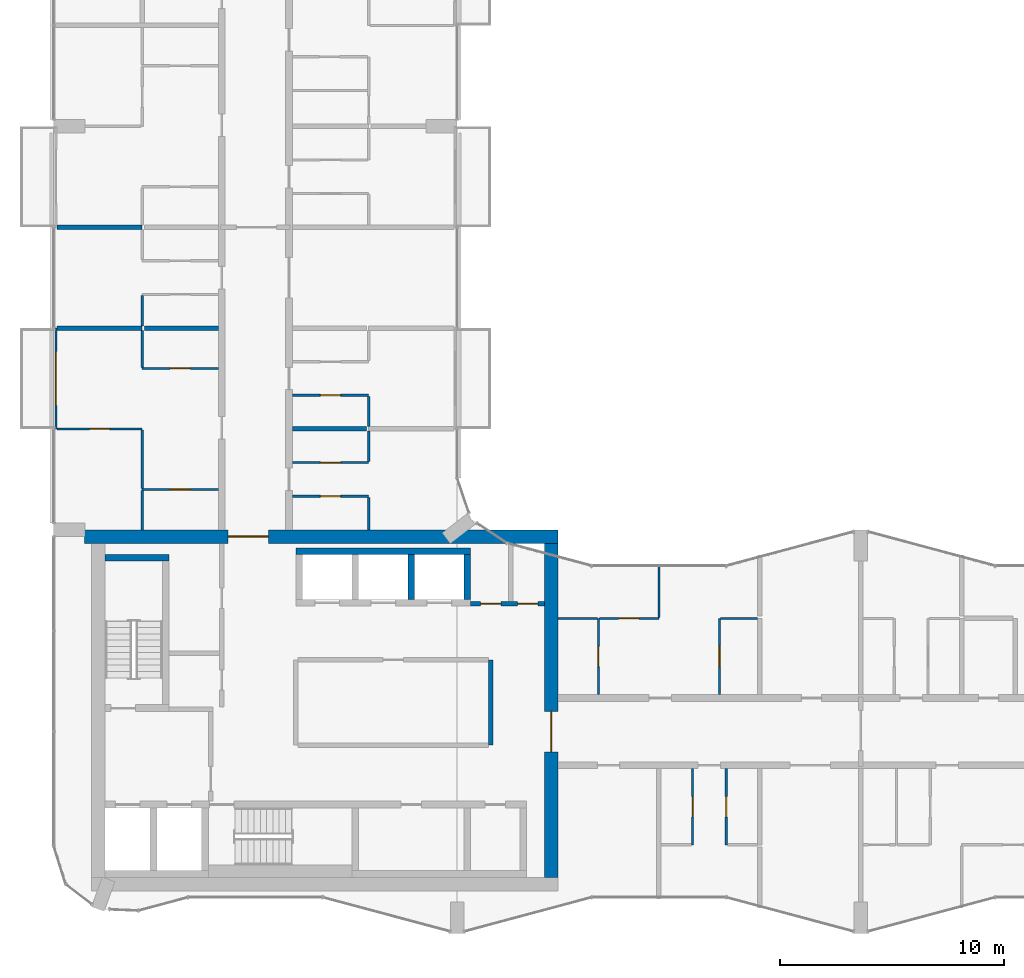
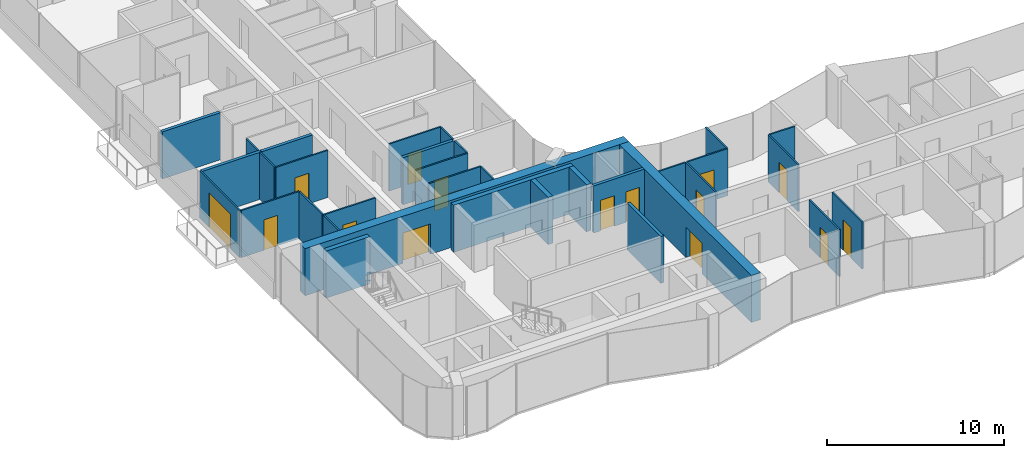
# One storey, part 10 of 17: 34 walls, 16 doors, 16 openings.
"""IFC4 building model written with IfcOpenShell, lengths in metres."""

from ifc_helpers import new_model, si_unit, direction, frame, frame_2d, origin, place, context, subcontext, project, spatial, rectangle, extrude, material, layer, layer_set, type_object, element, fill, save


model = new_model("IFC4")

# Units and contexts
model_context = context("Model", 3, precision=1e-05, world=origin(), true_north=direction((0.0, 1.0)))
body_context = subcontext(model_context, "Body", "Model", "MODEL_VIEW")
ifc_project = project(units=[si_unit("LENGTHUNIT", "METRE"), si_unit("AREAUNIT", "SQUARE_METRE"), si_unit("VOLUMEUNIT", "CUBIC_METRE"), si_unit("PLANEANGLEUNIT", "RADIAN"), si_unit("MASSUNIT", "GRAM", prefix="KILO")], contexts=[model_context])

# Site, building, storey
site_placement = place(None, origin())
site = spatial("IfcSite", under=ifc_project, at=site_placement, CompositionType="ELEMENT")
building_placement = place(site_placement, origin())
building = spatial("IfcBuilding", under=site, at=building_placement, Name="Plateau Cross Towers", CompositionType="ELEMENT")
storey_placement = place(building_placement, frame((0.0, 0.0, 142.89990234375)))
storey = spatial("IfcBuildingStorey", under=building, at=storey_placement, Name="L36", CompositionType="ELEMENT", Elevation=142.89990234375)

# Wall, opening, door
ifc_material_1 = material(Name="Aluminium framed glazing", Category="aluminium")
ifc_layer_1 = layer(ifc_material_1, 0.10009765625)
ifc_layer_set_1 = layer_set([ifc_layer_1], Name="Aluminium framed glazing")
wall_type_1 = type_object("IfcWallType", Name="Balcony screen wall 100", PredefinedType="STANDARD", material=ifc_layer_set_1)
wall_1_placement = place(storey_placement, frame((0.10009765625, 22.5, 0.0), z_axis=(0.0, 0.0, 1.0), x_axis=(0.0, 1.0, 0.0)))
wall_1 = element("IfcWall", 1, at=wall_1_placement, inside=storey, type_object=wall_type_1, Name="Balcony screen wall A-BAL-L36-01", PredefinedType="STANDARD", context=body_context, shape_type="SweptSolid", body=[
    extrude(rectangle(XDim=4.5, YDim=0.10009765625, at=frame_2d((2.25, 0.0))), origin(), (0.0, 0.0, 1.0), 3.25),
])
opening_1_placement = place(wall_1_placement, frame((1.050048828125, 0.0, 0.0)))
opening_1 = element("IfcOpeningElement", 2, at=opening_1_placement, cuts=wall_1, Name="Opening D-B24", PredefinedType="OPENING", context=body_context, shape_type="SweptSolid", body=[
    extrude(rectangle(XDim=2.39990234375, YDim=2.39990234375, at=frame_2d((1.199951171875, 1.199951171875))), frame((0.0, 0.06005859375, 0.0), z_axis=(0.0, -1.0, 0.0), x_axis=(1.0, 0.0, 0.0)), (0.0, 0.0, 1.0), 0.1201171875),
])
ifc_material_2 = material(Name="Aluminium frame, double glazing", Category="aluminium")
door_type_1 = type_object("IfcDoorType", Name="Balcony sliding door 2400", OperationType="NOTDEFINED", PredefinedType="DOOR", material=ifc_material_2)
door_1_placement = place(opening_1_placement, origin())
door_1 = element("IfcDoor", 3, at=door_1_placement, inside=storey, type_object=door_type_1, Name="Balcony door A-BAL-L36-01", OperationType="SINGLE_SWING_LEFT", OverallHeight=2.39990234375, OverallWidth=2.39990234375, PredefinedType="DOOR", context=body_context, shape_type="SweptSolid", body=[
    extrude(rectangle(XDim=2.39990234375, YDim=2.39990234375, at=frame_2d((1.199951171875, 1.199951171875))), frame((0.0, 0.02490234375, 0.0), z_axis=(0.0, -1.0, 0.0), x_axis=(1.0, 0.0, 0.0)), (0.0, 0.0, 1.0), 0.050048828125),
])
fill(opening_1, door_1)

# Wall
ifc_material_3 = material(Name="Concrete block, plastered both sides", Category="concrete")
ifc_layer_2 = layer(ifc_material_3, 0.199951171875)
ifc_layer_set_2 = layer_set([ifc_layer_2], Name="Concrete block, plastered both sides")
wall_type_2 = type_object("IfcWallType", Name="Core partition 200", PredefinedType="PARTITIONING", material=ifc_layer_set_2)
wall_2_placement = place(storey_placement, frame((19.5, 8.39990234375, 0.0), z_axis=(0.0, 0.0, 1.0), x_axis=(0.0, 1.0, 0.0)))
element("IfcWall", 4, at=wall_2_placement, inside=storey, type_object=wall_type_2, Name="Core partition", PredefinedType="PARTITIONING", context=body_context, shape_type="SweptSolid", body=[
    extrude(rectangle(XDim=3.800048828125, YDim=0.199951171875, at=frame_2d((1.89990234375, 0.0))), origin(), (0.0, 0.0, 1.0), 3.25),
])

# Wall, openings, doors
wall_3_placement = place(storey_placement, frame((18.60009765625, 14.699951171875, 0.0), z_axis=(0.0, 0.0, 1.0), x_axis=(1.0, 0.0, 0.0)))
wall_3 = element("IfcWall", 5, at=wall_3_placement, inside=storey, type_object=wall_type_2, Name="Core partition", PredefinedType="PARTITIONING", context=body_context, shape_type="SweptSolid", body=[
    extrude(rectangle(XDim=3.2998046875, YDim=0.199951171875, at=frame_2d((1.64990234375, 0.0))), origin(), (0.0, 0.0, 1.0), 3.25),
])
opening_2_placement = place(wall_3_placement, frame((0.449951171875, 0.0, 0.0)))
opening_2 = element("IfcOpeningElement", 6, at=opening_2_placement, cuts=wall_3, Name="Opening RD2", PredefinedType="OPENING", context=body_context, shape_type="SweptSolid", body=[
    extrude(rectangle(XDim=0.89990234375, YDim=2.10009765625, at=frame_2d((0.449951171875, 1.050048828125))), frame((0.0, 0.10986328125, 0.0), z_axis=(0.0, -1.0, 0.0), x_axis=(1.0, 0.0, 0.0)), (0.0, 0.0, 1.0), 0.219970703125),
])
opening_3_placement = place(wall_3_placement, frame((2.10009765625, 0.0, 0.0)))
opening_3 = element("IfcOpeningElement", 7, at=opening_3_placement, cuts=wall_3, Name="Opening RD2", PredefinedType="OPENING", context=body_context, shape_type="SweptSolid", body=[
    extrude(rectangle(XDim=0.89990234375, YDim=2.10009765625, at=frame_2d((0.449951171875, 1.050048828125))), frame((0.0, 0.10986328125, 0.0), z_axis=(0.0, -1.0, 0.0), x_axis=(1.0, 0.0, 0.0)), (0.0, 0.0, 1.0), 0.219970703125),
])
ifc_material_4 = material(Name="Steel, fire-resisting leaf", Category="steel")
door_type_2 = type_object("IfcDoorType", Name="Core riser door 900", OperationType="NOTDEFINED", PredefinedType="DOOR", material=ifc_material_4)
door_2_placement = place(opening_2_placement, origin())
door_2 = element("IfcDoor", 8, at=door_2_placement, inside=storey, type_object=door_type_2, Name="Core riser door RD2", OperationType="SINGLE_SWING_LEFT", OverallHeight=2.10009765625, OverallWidth=0.89990234375, PredefinedType="DOOR", context=body_context, shape_type="SweptSolid", body=[
    extrude(rectangle(XDim=0.89990234375, YDim=2.10009765625, at=frame_2d((0.449951171875, 1.050048828125))), frame((0.0, 0.02490234375, 0.0), z_axis=(0.0, -1.0, 0.0), x_axis=(1.0, 0.0, 0.0)), (0.0, 0.0, 1.0), 0.050048828125),
])
fill(opening_2, door_2)
door_3_placement = place(opening_3_placement, origin())
door_3 = element("IfcDoor", 9, at=door_3_placement, inside=storey, type_object=door_type_2, Name="Core riser door RD2", OperationType="SINGLE_SWING_LEFT", OverallHeight=2.10009765625, OverallWidth=0.89990234375, PredefinedType="DOOR", context=body_context, shape_type="SweptSolid", body=[
    extrude(rectangle(XDim=0.89990234375, YDim=2.10009765625, at=frame_2d((0.449951171875, 1.050048828125))), frame((0.0, 0.02490234375, 0.0), z_axis=(0.0, -1.0, 0.0), x_axis=(1.0, 0.0, 0.0)), (0.0, 0.0, 1.0), 0.050048828125),
])
fill(opening_3, door_3)

# Walls
ifc_material_5 = material(Name="Concrete C60/75", Category="concrete")
ifc_layer_3 = layer(ifc_material_5, 0.300048828125)
ifc_layer_set_3 = layer_set([ifc_layer_3], Name="Concrete C60/75")
wall_type_3 = type_object("IfcWallType", Name="Core shaft wall 300", PredefinedType="SHEAR", material=ifc_layer_set_3)
wall_4_placement = place(storey_placement, frame((2.300048828125, 16.75, 0.0), z_axis=(0.0, 0.0, 1.0), x_axis=(1.0, 0.0, 0.0)))
element("IfcWall", 10, at=wall_4_placement, inside=storey, type_object=wall_type_3, Name="A-st1-N@L36", PredefinedType="SHEAR", context=body_context, shape_type="SweptSolid", body=[
    extrude(rectangle(XDim=2.849853515625, YDim=0.300048828125, at=frame_2d((1.4248046875, 0.0))), origin(), (0.0, 0.0, 1.0), 3.25),
])
wall_5_placement = place(storey_placement, frame((10.800048828125, 17.050048828125, 0.0), z_axis=(0.0, 0.0, 1.0), x_axis=(1.0, 0.0, 0.0)))
element("IfcWall", 11, at=wall_5_placement, inside=storey, type_object=wall_type_3, Name="A-nb-back@L36", PredefinedType="SHEAR", context=body_context, shape_type="SweptSolid", body=[
    extrude(rectangle(XDim=7.800048828125, YDim=0.300048828125, at=frame_2d((3.89990234375, 0.0))), origin(), (0.0, 0.0, 1.0), 3.25),
])
for number, where, z_axis, x_axis, name in (
    (12, (15.949951171875, 14.89990234375, 0.0), (0.0, 0.0, 1.0), (0.0, 1.0, 0.0), "A-nb-v3@L36"),
    (13, (18.449951171875, 14.89990234375, 0.0), (0.0, 0.0, 1.0), (0.0, 1.0, 0.0), "A-nb-v4@L36"),
):
    element("IfcWall", number, at=place(storey_placement, frame(where, z_axis=z_axis, x_axis=x_axis)), inside=storey, type_object=wall_type_3, Name=name, PredefinedType="SHEAR", context=body_context, shape_type="SweptSolid", body=[
        extrude(rectangle(XDim=2.0, YDim=0.300048828125, at=frame_2d((1.0, 0.0))), origin(), (0.0, 0.0, 1.0), 3.25),
    ])

# Wall, opening, door
ifc_layer_4 = layer(ifc_material_5, 0.60009765625)
ifc_layer_set_4 = layer_set([ifc_layer_4], Name="Concrete C60/75")
wall_type_4 = type_object("IfcWallType", Name="Core shell wall 600", PredefinedType="SHEAR", material=ifc_layer_set_4)
wall_6_placement = place(storey_placement, frame((1.3798828125, 17.699951171875, 0.0), z_axis=(0.0, 0.0, 1.0), x_axis=(1.0, 0.0, 0.0)))
wall_6 = element("IfcWall", 14, at=wall_6_placement, inside=storey, type_object=wall_type_4, Name="A-core-N@L36", PredefinedType="SHEAR", context=body_context, shape_type="SweptSolid", body=[
    extrude(rectangle(XDim=21.1201171875, YDim=0.60009765625, at=frame_2d((10.56005859375, 0.0))), origin(), (0.0, 0.0, 1.0), 3.25),
])
opening_4_placement = place(wall_6_placement, frame((6.39990234375, 0.0, 0.0)))
opening_4 = element("IfcOpeningElement", 15, at=opening_4_placement, cuts=wall_6, Name="Opening CD", PredefinedType="OPENING", context=body_context, shape_type="SweptSolid", body=[
    extrude(rectangle(XDim=1.800048828125, YDim=2.10009765625, at=frame_2d((0.89990234375, 1.050048828125))), frame((0.0, 0.31005859375, 0.0), z_axis=(0.0, -1.0, 0.0), x_axis=(1.0, 0.0, 0.0)), (0.0, 0.0, 1.0), 0.6201171875),
])
ifc_material_6 = material(Name="Steel, fire-resisting leaves", Category="steel")
door_type_3 = type_object("IfcDoorType", Name="Corridor door pair 1800", OperationType="NOTDEFINED", PredefinedType="DOOR", material=ifc_material_6)
door_4_placement = place(opening_4_placement, origin())
door_4 = element("IfcDoor", 16, at=door_4_placement, inside=storey, type_object=door_type_3, Name="Corridor door pair CD", OperationType="DOUBLE_DOOR_SINGLE_SWING", OverallHeight=2.10009765625, OverallWidth=1.800048828125, PredefinedType="DOOR", context=body_context, shape_type="SweptSolid", body=[
    extrude(rectangle(XDim=1.800048828125, YDim=2.10009765625, at=frame_2d((0.89990234375, 1.050048828125))), frame((0.0, 0.02490234375, 0.0), z_axis=(0.0, -1.0, 0.0), x_axis=(1.0, 0.0, 0.0)), (0.0, 0.0, 1.0), 0.050048828125),
])
fill(opening_4, door_4)

wall_7_placement = place(storey_placement, frame((22.199951171875, 2.5, 0.0), z_axis=(0.0, 0.0, 1.0), x_axis=(0.0, 1.0, 0.0)))
wall_7 = element("IfcWall", 17, at=wall_7_placement, inside=storey, type_object=wall_type_4, Name="A-core-E@L36", PredefinedType="SHEAR", context=body_context, shape_type="SweptSolid", body=[
    extrude(rectangle(XDim=14.89990234375, YDim=0.60009765625, at=frame_2d((7.449951171875, 0.0))), origin(), (0.0, 0.0, 1.0), 3.25),
])
opening_5_placement = place(wall_7_placement, frame((5.60009765625, 0.0, 0.0)))
opening_5 = element("IfcOpeningElement", 18, at=opening_5_placement, cuts=wall_7, Name="Opening CD", PredefinedType="OPENING", context=body_context, shape_type="SweptSolid", body=[
    extrude(rectangle(XDim=1.800048828125, YDim=2.10009765625, at=frame_2d((0.89990234375, 1.050048828125))), frame((0.0, 0.31005859375, 0.0), z_axis=(0.0, -1.0, 0.0), x_axis=(1.0, 0.0, 0.0)), (0.0, 0.0, 1.0), 0.6201171875),
])
door_5_placement = place(opening_5_placement, origin())
door_5 = element("IfcDoor", 19, at=door_5_placement, inside=storey, type_object=door_type_3, Name="Corridor door pair CD", OperationType="DOUBLE_DOOR_SINGLE_SWING", OverallHeight=2.10009765625, OverallWidth=1.800048828125, PredefinedType="DOOR", context=body_context, shape_type="SweptSolid", body=[
    extrude(rectangle(XDim=1.800048828125, YDim=2.10009765625, at=frame_2d((0.89990234375, 1.050048828125))), frame((0.0, 0.02490234375, 0.0), z_axis=(0.0, -1.0, 0.0), x_axis=(1.0, 0.0, 0.0)), (0.0, 0.0, 1.0), 0.050048828125),
])
fill(opening_5, door_5)

# Walls
ifc_material_7 = material(Name="Gypsum board on steel studs", Category="steel")
ifc_layer_5 = layer(ifc_material_7, 0.10009765625)
ifc_layer_set_5 = layer_set([ifc_layer_5], Name="Gypsum board on steel studs")
wall_type_5 = type_object("IfcWallType", Name="Flat partition 100", PredefinedType="PARTITIONING", material=ifc_layer_set_5)
wall_8_placement = place(storey_placement, frame((24.25, 14.050048828125, 0.0), z_axis=(0.0, 0.0, 1.0), x_axis=(-1.0, 0.0, 0.0)))
element("IfcWall", 20, at=wall_8_placement, inside=storey, type_object=wall_type_5, Name="Partition wall", PredefinedType="PARTITIONING", context=body_context, shape_type="SweptSolid", body=[
    extrude(rectangle(XDim=1.75, YDim=0.10009765625, at=frame_2d((0.875, 0.0))), origin(), (0.0, 0.0, 1.0), 3.25),
])
wall_9_placement = place(storey_placement, frame((31.39990234375, 14.050048828125, 0.0), z_axis=(0.0, 0.0, 1.0), x_axis=(-1.0, 0.0, 0.0)))
element("IfcWall", 21, at=wall_9_placement, inside=storey, type_object=wall_type_5, Name="Partition wall", PredefinedType="PARTITIONING", context=body_context, shape_type="SweptSolid", body=[
    extrude(rectangle(XDim=1.64990234375, YDim=0.10009765625, at=frame_2d((0.824951171875, 0.0))), origin(), (0.0, 0.0, 1.0), 3.25),
])

# Wall, opening, door
wall_10_placement = place(storey_placement, frame((24.35009765625, 14.050048828125, 0.0), z_axis=(0.0, 0.0, 1.0), x_axis=(1.0, 0.0, 0.0)))
wall_10 = element("IfcWall", 22, at=wall_10_placement, inside=storey, type_object=wall_type_5, Name="Partition wall", PredefinedType="PARTITIONING", context=body_context, shape_type="SweptSolid", body=[
    extrude(rectangle(XDim=2.64990234375, YDim=0.10009765625, at=frame_2d((1.324951171875, 0.0))), origin(), (0.0, 0.0, 1.0), 3.25),
])
opening_6_placement = place(wall_10_placement, frame((0.85009765625, 0.0, 0.0)))
opening_6 = element("IfcOpeningElement", 23, at=opening_6_placement, cuts=wall_10, Name="Opening 36-33", PredefinedType="OPENING", context=body_context, shape_type="SweptSolid", body=[
    extrude(rectangle(XDim=0.89990234375, YDim=2.10009765625, at=frame_2d((0.449951171875, 1.050048828125))), frame((0.0, 0.06005859375, 0.0), z_axis=(0.0, -1.0, 0.0), x_axis=(1.0, 0.0, 0.0)), (0.0, 0.0, 1.0), 0.1201171875),
])
ifc_material_8 = material(Name="Timber leaf", Category="wood")
door_type_4 = type_object("IfcDoorType", Name="Flat room door 900", OperationType="NOTDEFINED", PredefinedType="DOOR", material=ifc_material_8)
door_6_placement = place(opening_6_placement, origin())
door_6 = element("IfcDoor", 24, at=door_6_placement, inside=storey, type_object=door_type_4, Name="Door 36-33", OperationType="SINGLE_SWING_LEFT", OverallHeight=2.10009765625, OverallWidth=0.89990234375, PredefinedType="DOOR", context=body_context, shape_type="SweptSolid", body=[
    extrude(rectangle(XDim=0.89990234375, YDim=2.10009765625, at=frame_2d((0.449951171875, 1.050048828125))), frame((0.0, 0.02490234375, 0.0), z_axis=(0.0, -1.0, 0.0), x_axis=(1.0, 0.0, 0.0)), (0.0, 0.0, 1.0), 0.050048828125),
])
fill(opening_6, door_6)

wall_11_placement = place(storey_placement, frame((14.050048828125, 19.5, 0.0), z_axis=(0.0, 0.0, 1.0), x_axis=(-1.0, 0.0, 0.0)))
wall_11 = element("IfcWall", 25, at=wall_11_placement, inside=storey, type_object=wall_type_5, Name="Partition wall", PredefinedType="PARTITIONING", context=body_context, shape_type="SweptSolid", body=[
    extrude(rectangle(XDim=3.400146484375, YDim=0.10009765625, at=frame_2d((1.7001953125, 0.0))), origin(), (0.0, 0.0, 1.0), 3.25),
])
opening_7_placement = place(wall_11_placement, frame((1.25, 0.0, 0.0)))
opening_7 = element("IfcOpeningElement", 26, at=opening_7_placement, cuts=wall_11, Name="Opening 36-44", PredefinedType="OPENING", context=body_context, shape_type="SweptSolid", body=[
    extrude(rectangle(XDim=0.89990234375, YDim=2.10009765625, at=frame_2d((0.449951171875, 1.050048828125))), frame((0.0, 0.06005859375, 0.0), z_axis=(0.0, -1.0, 0.0), x_axis=(1.0, 0.0, 0.0)), (0.0, 0.0, 1.0), 0.1201171875),
])
door_7_placement = place(opening_7_placement, origin())
door_7 = element("IfcDoor", 27, at=door_7_placement, inside=storey, type_object=door_type_4, Name="Door 36-44", OperationType="SINGLE_SWING_LEFT", OverallHeight=2.10009765625, OverallWidth=0.89990234375, PredefinedType="DOOR", context=body_context, shape_type="SweptSolid", body=[
    extrude(rectangle(XDim=0.89990234375, YDim=2.10009765625, at=frame_2d((0.449951171875, 1.050048828125))), frame((0.0, 0.02490234375, 0.0), z_axis=(0.0, -1.0, 0.0), x_axis=(1.0, 0.0, 0.0)), (0.0, 0.0, 1.0), 0.050048828125),
])
fill(opening_7, door_7)

wall_12_placement = place(storey_placement, frame((7.35009765625, 19.800048828125, 0.0), z_axis=(0.0, 0.0, 1.0), x_axis=(-1.0, 0.0, 0.0)))
wall_12 = element("IfcWall", 28, at=wall_12_placement, inside=storey, type_object=wall_type_5, Name="Partition wall", PredefinedType="PARTITIONING", context=body_context, shape_type="SweptSolid", body=[
    extrude(rectangle(XDim=3.400146484375, YDim=0.10009765625, at=frame_2d((1.7001953125, 0.0))), origin(), (0.0, 0.0, 1.0), 3.25),
])
opening_8_placement = place(wall_12_placement, frame((1.25, 0.0, 0.0)))
opening_8 = element("IfcOpeningElement", 29, at=opening_8_placement, cuts=wall_12, Name="Opening 36-36", PredefinedType="OPENING", context=body_context, shape_type="SweptSolid", body=[
    extrude(rectangle(XDim=0.89990234375, YDim=2.10009765625, at=frame_2d((0.449951171875, 1.050048828125))), frame((0.0, 0.06005859375, 0.0), z_axis=(0.0, -1.0, 0.0), x_axis=(1.0, 0.0, 0.0)), (0.0, 0.0, 1.0), 0.1201171875),
])
door_8_placement = place(opening_8_placement, origin())
door_8 = element("IfcDoor", 30, at=door_8_placement, inside=storey, type_object=door_type_4, Name="Door 36-36", OperationType="SINGLE_SWING_RIGHT", OverallHeight=2.10009765625, OverallWidth=0.89990234375, PredefinedType="DOOR", context=body_context, shape_type="SweptSolid", body=[
    extrude(rectangle(XDim=0.89990234375, YDim=2.10009765625, at=frame_2d((0.449951171875, 1.050048828125))), frame((0.0, 0.02490234375, 0.0), z_axis=(0.0, -1.0, 0.0), x_axis=(1.0, 0.0, 0.0)), (0.0, 0.0, 1.0), 0.050048828125),
])
fill(opening_8, door_8)

wall_13_placement = place(storey_placement, frame((10.64990234375, 21.0, 0.0), z_axis=(0.0, 0.0, 1.0), x_axis=(1.0, 0.0, 0.0)))
wall_13 = element("IfcWall", 31, at=wall_13_placement, inside=storey, type_object=wall_type_5, Name="Partition wall", PredefinedType="PARTITIONING", context=body_context, shape_type="SweptSolid", body=[
    extrude(rectangle(XDim=3.400146484375, YDim=0.10009765625, at=frame_2d((1.7001953125, 0.0))), origin(), (0.0, 0.0, 1.0), 3.25),
])
opening_9_placement = place(wall_13_placement, frame((1.25, 0.0, 0.0)))
opening_9 = element("IfcOpeningElement", 32, at=opening_9_placement, cuts=wall_13, Name="Opening 36-45", PredefinedType="OPENING", context=body_context, shape_type="SweptSolid", body=[
    extrude(rectangle(XDim=0.89990234375, YDim=2.10009765625, at=frame_2d((0.449951171875, 1.050048828125))), frame((0.0, 0.06005859375, 0.0), z_axis=(0.0, -1.0, 0.0), x_axis=(1.0, 0.0, 0.0)), (0.0, 0.0, 1.0), 0.1201171875),
])
door_9_placement = place(opening_9_placement, origin())
door_9 = element("IfcDoor", 33, at=door_9_placement, inside=storey, type_object=door_type_4, Name="Door 36-45", OperationType="SINGLE_SWING_LEFT", OverallHeight=2.10009765625, OverallWidth=0.89990234375, PredefinedType="DOOR", context=body_context, shape_type="SweptSolid", body=[
    extrude(rectangle(XDim=0.89990234375, YDim=2.10009765625, at=frame_2d((0.449951171875, 1.050048828125))), frame((0.0, 0.02490234375, 0.0), z_axis=(0.0, -1.0, 0.0), x_axis=(1.0, 0.0, 0.0)), (0.0, 0.0, 1.0), 0.050048828125),
])
fill(opening_9, door_9)

wall_14_placement = place(storey_placement, frame((3.949951171875, 22.5, 0.0), z_axis=(0.0, 0.0, 1.0), x_axis=(-1.0, 0.0, 0.0)))
wall_14 = element("IfcWall", 34, at=wall_14_placement, inside=storey, type_object=wall_type_5, Name="Partition wall", PredefinedType="PARTITIONING", context=body_context, shape_type="SweptSolid", body=[
    extrude(rectangle(XDim=3.800048828125, YDim=0.10009765625, at=frame_2d((1.89990234375, 0.0))), origin(), (0.0, 0.0, 1.0), 3.25),
])
opening_10_placement = place(wall_14_placement, frame((1.449951171875, 0.0, 0.0)))
opening_10 = element("IfcOpeningElement", 35, at=opening_10_placement, cuts=wall_14, Name="Opening 36-38", PredefinedType="OPENING", context=body_context, shape_type="SweptSolid", body=[
    extrude(rectangle(XDim=0.89990234375, YDim=2.10009765625, at=frame_2d((0.449951171875, 1.050048828125))), frame((0.0, 0.06005859375, 0.0), z_axis=(0.0, -1.0, 0.0), x_axis=(1.0, 0.0, 0.0)), (0.0, 0.0, 1.0), 0.1201171875),
])
door_10_placement = place(opening_10_placement, origin())
door_10 = element("IfcDoor", 36, at=door_10_placement, inside=storey, type_object=door_type_4, Name="Door 36-38", OperationType="SINGLE_SWING_LEFT", OverallHeight=2.10009765625, OverallWidth=0.89990234375, PredefinedType="DOOR", context=body_context, shape_type="SweptSolid", body=[
    extrude(rectangle(XDim=0.89990234375, YDim=2.10009765625, at=frame_2d((0.449951171875, 1.050048828125))), frame((0.0, 0.02490234375, 0.0), z_axis=(0.0, -1.0, 0.0), x_axis=(1.0, 0.0, 0.0)), (0.0, 0.0, 1.0), 0.050048828125),
])
fill(opening_10, door_10)

wall_15_placement = place(storey_placement, frame((14.050048828125, 24.0, 0.0), z_axis=(0.0, 0.0, 1.0), x_axis=(-1.0, 0.0, 0.0)))
wall_15 = element("IfcWall", 37, at=wall_15_placement, inside=storey, type_object=wall_type_5, Name="Partition wall", PredefinedType="PARTITIONING", context=body_context, shape_type="SweptSolid", body=[
    extrude(rectangle(XDim=3.400146484375, YDim=0.10009765625, at=frame_2d((1.7001953125, 0.0))), origin(), (0.0, 0.0, 1.0), 3.25),
])
opening_11_placement = place(wall_15_placement, frame((1.25, 0.0, 0.0)))
opening_11 = element("IfcOpeningElement", 38, at=opening_11_placement, cuts=wall_15, Name="Opening 36-46", PredefinedType="OPENING", context=body_context, shape_type="SweptSolid", body=[
    extrude(rectangle(XDim=0.89990234375, YDim=2.10009765625, at=frame_2d((0.449951171875, 1.050048828125))), frame((0.0, 0.06005859375, 0.0), z_axis=(0.0, -1.0, 0.0), x_axis=(1.0, 0.0, 0.0)), (0.0, 0.0, 1.0), 0.1201171875),
])
door_11_placement = place(opening_11_placement, origin())
door_11 = element("IfcDoor", 39, at=door_11_placement, inside=storey, type_object=door_type_4, Name="Door 36-46", OperationType="SINGLE_SWING_LEFT", OverallHeight=2.10009765625, OverallWidth=0.89990234375, PredefinedType="DOOR", context=body_context, shape_type="SweptSolid", body=[
    extrude(rectangle(XDim=0.89990234375, YDim=2.10009765625, at=frame_2d((0.449951171875, 1.050048828125))), frame((0.0, 0.02490234375, 0.0), z_axis=(0.0, -1.0, 0.0), x_axis=(1.0, 0.0, 0.0)), (0.0, 0.0, 1.0), 0.050048828125),
])
fill(opening_11, door_11)

wall_16_placement = place(storey_placement, frame((3.949951171875, 25.199951171875, 0.0), z_axis=(0.0, 0.0, 1.0), x_axis=(1.0, 0.0, 0.0)))
wall_16 = element("IfcWall", 40, at=wall_16_placement, inside=storey, type_object=wall_type_5, Name="Partition wall", PredefinedType="PARTITIONING", context=body_context, shape_type="SweptSolid", body=[
    extrude(rectangle(XDim=3.400146484375, YDim=0.10009765625, at=frame_2d((1.7001953125, 0.0))), origin(), (0.0, 0.0, 1.0), 3.25),
])
opening_12_placement = place(wall_16_placement, frame((1.25, 0.0, 0.0)))
opening_12 = element("IfcOpeningElement", 41, at=opening_12_placement, cuts=wall_16, Name="Opening 36-37", PredefinedType="OPENING", context=body_context, shape_type="SweptSolid", body=[
    extrude(rectangle(XDim=0.89990234375, YDim=2.10009765625, at=frame_2d((0.449951171875, 1.050048828125))), frame((0.0, 0.06005859375, 0.0), z_axis=(0.0, -1.0, 0.0), x_axis=(1.0, 0.0, 0.0)), (0.0, 0.0, 1.0), 0.1201171875),
])
door_12_placement = place(opening_12_placement, origin())
door_12 = element("IfcDoor", 42, at=door_12_placement, inside=storey, type_object=door_type_4, Name="Door 36-37", OperationType="SINGLE_SWING_RIGHT", OverallHeight=2.10009765625, OverallWidth=0.89990234375, PredefinedType="DOOR", context=body_context, shape_type="SweptSolid", body=[
    extrude(rectangle(XDim=0.89990234375, YDim=2.10009765625, at=frame_2d((0.449951171875, 1.050048828125))), frame((0.0, 0.02490234375, 0.0), z_axis=(0.0, -1.0, 0.0), x_axis=(1.0, 0.0, 0.0)), (0.0, 0.0, 1.0), 0.050048828125),
])
fill(opening_12, door_12)

# Walls
wall_17_placement = place(storey_placement, frame((3.949951171875, 19.75, 0.0), z_axis=(0.0, 0.0, 1.0), x_axis=(0.0, -1.0, 0.0)))
element("IfcWall", 43, at=wall_17_placement, inside=storey, type_object=wall_type_5, Name="Partition wall", PredefinedType="PARTITIONING", context=body_context, shape_type="SweptSolid", body=[
    extrude(rectangle(XDim=1.75, YDim=0.10009765625, at=frame_2d((0.875, 0.0))), origin(), (0.0, 0.0, 1.0), 3.25),
])
wall_18_placement = place(storey_placement, frame((3.949951171875, 26.89990234375, 0.0), z_axis=(0.0, 0.0, 1.0), x_axis=(0.0, -1.0, 0.0)))
element("IfcWall", 44, at=wall_18_placement, inside=storey, type_object=wall_type_5, Name="Partition wall", PredefinedType="PARTITIONING", context=body_context, shape_type="SweptSolid", body=[
    extrude(rectangle(XDim=1.64990234375, YDim=0.10009765625, at=frame_2d((0.824951171875, 0.0))), origin(), (0.0, 0.0, 1.0), 3.25),
])
wall_19_placement = place(storey_placement, frame((3.949951171875, 28.449951171875, 0.0), z_axis=(0.0, 0.0, 1.0), x_axis=(0.0, -1.0, 0.0)))
element("IfcWall", 45, at=wall_19_placement, inside=storey, type_object=wall_type_5, Name="Partition wall", PredefinedType="PARTITIONING", context=body_context, shape_type="SweptSolid", body=[
    extrude(rectangle(XDim=1.349853515625, YDim=0.10009765625, at=frame_2d((0.6748046875, 0.0))), origin(), (0.0, 0.0, 1.0), 3.25),
])
wall_20_placement = place(storey_placement, frame((3.949951171875, 19.85009765625, 0.0), z_axis=(0.0, 0.0, 1.0), x_axis=(0.0, 1.0, 0.0)))
element("IfcWall", 46, at=wall_20_placement, inside=storey, type_object=wall_type_5, Name="Partition wall", PredefinedType="PARTITIONING", context=body_context, shape_type="SweptSolid", body=[
    extrude(rectangle(XDim=2.599853515625, YDim=0.10009765625, at=frame_2d((1.2998046875, 0.0))), origin(), (0.0, 0.0, 1.0), 3.25),
])
wall_21_placement = place(storey_placement, frame((14.050048828125, 18.0, 0.0), z_axis=(0.0, 0.0, 1.0), x_axis=(0.0, 1.0, 0.0)))
element("IfcWall", 47, at=wall_21_placement, inside=storey, type_object=wall_type_5, Name="Partition wall", PredefinedType="PARTITIONING", context=body_context, shape_type="SweptSolid", body=[
    extrude(rectangle(XDim=1.449951171875, YDim=0.10009765625, at=frame_2d((0.72509765625, 0.0))), origin(), (0.0, 0.0, 1.0), 3.25),
])
for number, where, z_axis, x_axis, name in (
    (48, (14.050048828125, 21.050048828125, 0.0), (0.0, 0.0, 1.0), (0.0, 1.0, 0.0), "Partition wall"),
    (49, (14.050048828125, 22.60009765625, 0.0), (0.0, 0.0, 1.0), (0.0, 1.0, 0.0), "Partition wall"),
):
    element("IfcWall", number, at=place(storey_placement, frame(where, z_axis=z_axis, x_axis=x_axis)), inside=storey, type_object=wall_type_5, Name=name, PredefinedType="PARTITIONING", context=body_context, shape_type="SweptSolid", body=[
        extrude(rectangle(XDim=1.349853515625, YDim=0.10009765625, at=frame_2d((0.6748046875, 0.0))), origin(), (0.0, 0.0, 1.0), 3.25),
    ])

# Wall, opening, door
wall_22_placement = place(storey_placement, frame((24.300048828125, 10.64990234375, 0.0), z_axis=(0.0, 0.0, 1.0), x_axis=(0.0, 1.0, 0.0)))
wall_22 = element("IfcWall", 50, at=wall_22_placement, inside=storey, type_object=wall_type_5, Name="Partition wall", PredefinedType="PARTITIONING", context=body_context, shape_type="SweptSolid", body=[
    extrude(rectangle(XDim=3.400146484375, YDim=0.10009765625, at=frame_2d((1.7001953125, 0.0))), origin(), (0.0, 0.0, 1.0), 3.25),
])
opening_13_placement = place(wall_22_placement, frame((1.25, 0.0, 0.0)))
opening_13 = element("IfcOpeningElement", 51, at=opening_13_placement, cuts=wall_22, Name="Opening 36-31", PredefinedType="OPENING", context=body_context, shape_type="SweptSolid", body=[
    extrude(rectangle(XDim=0.89990234375, YDim=2.10009765625, at=frame_2d((0.449951171875, 1.050048828125))), frame((0.0, 0.06005859375, 0.0), z_axis=(0.0, -1.0, 0.0), x_axis=(1.0, 0.0, 0.0)), (0.0, 0.0, 1.0), 0.1201171875),
])
door_13_placement = place(opening_13_placement, origin())
door_13 = element("IfcDoor", 52, at=door_13_placement, inside=storey, type_object=door_type_4, Name="Door 36-31", OperationType="SINGLE_SWING_LEFT", OverallHeight=2.10009765625, OverallWidth=0.89990234375, PredefinedType="DOOR", context=body_context, shape_type="SweptSolid", body=[
    extrude(rectangle(XDim=0.89990234375, YDim=2.10009765625, at=frame_2d((0.449951171875, 1.050048828125))), frame((0.0, 0.02490234375, 0.0), z_axis=(0.0, -1.0, 0.0), x_axis=(1.0, 0.0, 0.0)), (0.0, 0.0, 1.0), 0.050048828125),
])
fill(opening_13, door_13)

# Wall
wall_23_placement = place(storey_placement, frame((27.0, 14.10009765625, 0.0), z_axis=(0.0, 0.0, 1.0), x_axis=(0.0, 1.0, 0.0)))
element("IfcWall", 53, at=wall_23_placement, inside=storey, type_object=wall_type_5, Name="Partition wall", PredefinedType="PARTITIONING", context=body_context, shape_type="SweptSolid", body=[
    extrude(rectangle(XDim=2.373046875, YDim=0.10009765625, at=frame_2d((1.1865234375, 0.0))), origin(), (0.0, 0.0, 1.0), 3.25),
])

# Wall, opening, door
wall_24_placement = place(storey_placement, frame((28.5, 3.949951171875, 0.0), z_axis=(0.0, 0.0, 1.0), x_axis=(0.0, 1.0, 0.0)))
wall_24 = element("IfcWall", 54, at=wall_24_placement, inside=storey, type_object=wall_type_5, Name="Partition wall", PredefinedType="PARTITIONING", context=body_context, shape_type="SweptSolid", body=[
    extrude(rectangle(XDim=3.400146484375, YDim=0.10009765625, at=frame_2d((1.7001953125, 0.0))), origin(), (0.0, 0.0, 1.0), 3.25),
])
opening_14_placement = place(wall_24_placement, frame((1.25, 0.0, 0.0)))
opening_14 = element("IfcOpeningElement", 55, at=opening_14_placement, cuts=wall_24, Name="Opening 36-24", PredefinedType="OPENING", context=body_context, shape_type="SweptSolid", body=[
    extrude(rectangle(XDim=0.89990234375, YDim=2.10009765625, at=frame_2d((0.449951171875, 1.050048828125))), frame((0.0, 0.06005859375, 0.0), z_axis=(0.0, -1.0, 0.0), x_axis=(1.0, 0.0, 0.0)), (0.0, 0.0, 1.0), 0.1201171875),
])
door_14_placement = place(opening_14_placement, origin())
door_14 = element("IfcDoor", 56, at=door_14_placement, inside=storey, type_object=door_type_4, Name="Door 36-24", OperationType="SINGLE_SWING_RIGHT", OverallHeight=2.10009765625, OverallWidth=0.89990234375, PredefinedType="DOOR", context=body_context, shape_type="SweptSolid", body=[
    extrude(rectangle(XDim=0.89990234375, YDim=2.10009765625, at=frame_2d((0.449951171875, 1.050048828125))), frame((0.0, 0.02490234375, 0.0), z_axis=(0.0, -1.0, 0.0), x_axis=(1.0, 0.0, 0.0)), (0.0, 0.0, 1.0), 0.050048828125),
])
fill(opening_14, door_14)

wall_25_placement = place(storey_placement, frame((29.699951171875, 14.050048828125, 0.0), z_axis=(0.0, 0.0, 1.0), x_axis=(0.0, -1.0, 0.0)))
wall_25 = element("IfcWall", 57, at=wall_25_placement, inside=storey, type_object=wall_type_5, Name="Partition wall", PredefinedType="PARTITIONING", context=body_context, shape_type="SweptSolid", body=[
    extrude(rectangle(XDim=3.400146484375, YDim=0.10009765625, at=frame_2d((1.7001953125, 0.0))), origin(), (0.0, 0.0, 1.0), 3.25),
])
opening_15_placement = place(wall_25_placement, frame((1.25, 0.0, 0.0)))
opening_15 = element("IfcOpeningElement", 58, at=opening_15_placement, cuts=wall_25, Name="Opening 36-32", PredefinedType="OPENING", context=body_context, shape_type="SweptSolid", body=[
    extrude(rectangle(XDim=0.89990234375, YDim=2.10009765625, at=frame_2d((0.449951171875, 1.050048828125))), frame((0.0, 0.06005859375, 0.0), z_axis=(0.0, -1.0, 0.0), x_axis=(1.0, 0.0, 0.0)), (0.0, 0.0, 1.0), 0.1201171875),
])
door_15_placement = place(opening_15_placement, origin())
door_15 = element("IfcDoor", 59, at=door_15_placement, inside=storey, type_object=door_type_4, Name="Door 36-32", OperationType="SINGLE_SWING_LEFT", OverallHeight=2.10009765625, OverallWidth=0.89990234375, PredefinedType="DOOR", context=body_context, shape_type="SweptSolid", body=[
    extrude(rectangle(XDim=0.89990234375, YDim=2.10009765625, at=frame_2d((0.449951171875, 1.050048828125))), frame((0.0, 0.02490234375, 0.0), z_axis=(0.0, -1.0, 0.0), x_axis=(1.0, 0.0, 0.0)), (0.0, 0.0, 1.0), 0.050048828125),
])
fill(opening_15, door_15)

wall_26_placement = place(storey_placement, frame((30.0, 7.35009765625, 0.0), z_axis=(0.0, 0.0, 1.0), x_axis=(0.0, -1.0, 0.0)))
wall_26 = element("IfcWall", 60, at=wall_26_placement, inside=storey, type_object=wall_type_5, Name="Partition wall", PredefinedType="PARTITIONING", context=body_context, shape_type="SweptSolid", body=[
    extrude(rectangle(XDim=3.400146484375, YDim=0.10009765625, at=frame_2d((1.7001953125, 0.0))), origin(), (0.0, 0.0, 1.0), 3.25),
])
opening_16_placement = place(wall_26_placement, frame((1.25, 0.0, 0.0)))
opening_16 = element("IfcOpeningElement", 61, at=opening_16_placement, cuts=wall_26, Name="Opening 36-25", PredefinedType="OPENING", context=body_context, shape_type="SweptSolid", body=[
    extrude(rectangle(XDim=0.89990234375, YDim=2.10009765625, at=frame_2d((0.449951171875, 1.050048828125))), frame((0.0, 0.06005859375, 0.0), z_axis=(0.0, -1.0, 0.0), x_axis=(1.0, 0.0, 0.0)), (0.0, 0.0, 1.0), 0.1201171875),
])
door_16_placement = place(opening_16_placement, origin())
door_16 = element("IfcDoor", 62, at=door_16_placement, inside=storey, type_object=door_type_4, Name="Door 36-25", OperationType="SINGLE_SWING_RIGHT", OverallHeight=2.10009765625, OverallWidth=0.89990234375, PredefinedType="DOOR", context=body_context, shape_type="SweptSolid", body=[
    extrude(rectangle(XDim=0.89990234375, YDim=2.10009765625, at=frame_2d((0.449951171875, 1.050048828125))), frame((0.0, 0.02490234375, 0.0), z_axis=(0.0, -1.0, 0.0), x_axis=(1.0, 0.0, 0.0)), (0.0, 0.0, 1.0), 0.050048828125),
])
fill(opening_16, door_16)

# Walls
ifc_material_9 = material(Name="Gypsum board on steel studs, two layers each side", Category="steel")
ifc_layer_6 = layer(ifc_material_9, 0.199951171875)
ifc_layer_set_6 = layer_set([ifc_layer_6], Name="Gypsum board on steel studs, two layers each side")
wall_type_6 = type_object("IfcWallType", Name="Flat party wall 200", PredefinedType="PARTITIONING", material=ifc_layer_set_6)
for number, where, z_axis, x_axis, name in (
    (63, (13.949951171875, 22.5, 0.0), (0.0, 0.0, 1.0), (-1.0, 0.0, 0.0), "Party wall"),
    (64, (7.35009765625, 27.0, 0.0), (0.0, 0.0, 1.0), (-1.0, 0.0, 0.0), "Party wall"),
):
    element("IfcWall", number, at=place(storey_placement, frame(where, z_axis=z_axis, x_axis=x_axis)), inside=storey, type_object=wall_type_6, Name=name, PredefinedType="PARTITIONING", context=body_context, shape_type="SweptSolid", body=[
        extrude(rectangle(XDim=3.300048828125, YDim=0.199951171875, at=frame_2d((1.64990234375, 0.0))), origin(), (0.0, 0.0, 1.0), 3.25),
    ])
for number, where, z_axis, x_axis, name in (
    (65, (0.14990234375, 27.0, 0.0), (0.0, 0.0, 1.0), (1.0, 0.0, 0.0), "Party wall"),
    (66, (0.14990234375, 31.5, 0.0), (0.0, 0.0, 1.0), (1.0, 0.0, 0.0), "Party wall"),
):
    element("IfcWall", number, at=place(storey_placement, frame(where, z_axis=z_axis, x_axis=x_axis)), inside=storey, type_object=wall_type_6, Name=name, PredefinedType="PARTITIONING", context=body_context, shape_type="SweptSolid", body=[
        extrude(rectangle(XDim=3.800048828125, YDim=0.199951171875, at=frame_2d((1.89990234375, 0.0))), origin(), (0.0, 0.0, 1.0), 3.25),
    ])

save(model, "model.ifc")
